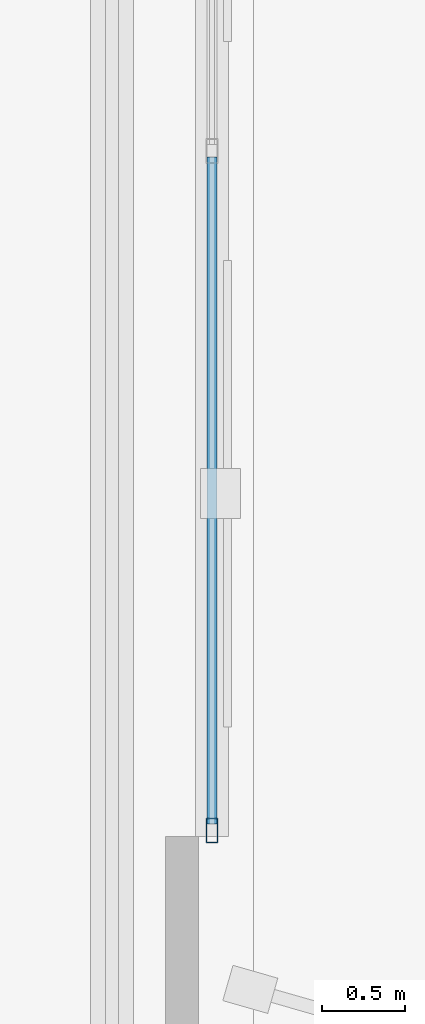
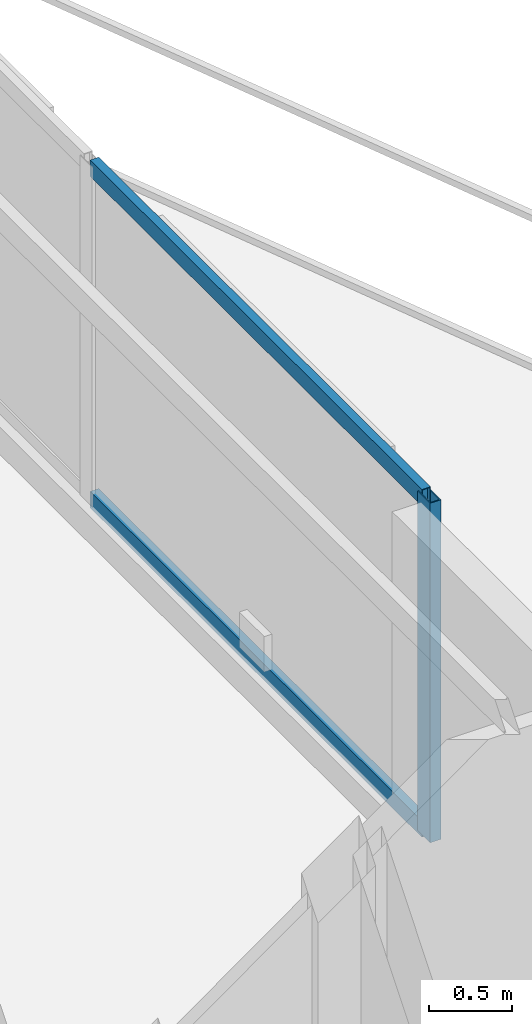
# One storey, part 7 of 18: 3 members, 1 element without a shape of its own.
"""IFC4 building model written with IfcOpenShell, lengths in metres."""

from ifc_helpers import new_model, si_unit, direction, frame, origin, origin_2d, place, context, subcontext, project, spatial, hollow_rectangle, extrude, material, layer, layer_set, material_profile, profile_set, type_object, element, aggregate, save


model = new_model("IFC4")

# Units and contexts
model_context = context("Model", 3, precision=1e-05, world=origin(), true_north=direction((0.0, 1.0)))
body_context = subcontext(model_context, "Body", "Model", "MODEL_VIEW")
ifc_project = project(units=[si_unit("LENGTHUNIT", "METRE"), si_unit("AREAUNIT", "SQUARE_METRE"), si_unit("VOLUMEUNIT", "CUBIC_METRE"), si_unit("PLANEANGLEUNIT", "RADIAN"), si_unit("MASSUNIT", "GRAM", prefix="KILO")], contexts=[model_context])

# Site, building, storey
site_placement = place(None, origin())
site = spatial("IfcSite", under=ifc_project, at=site_placement, CompositionType="ELEMENT")
building_placement = place(site_placement, origin())
building = spatial("IfcBuilding", under=site, at=building_placement, Name="Mersakhor Tower and Convention Hall", CompositionType="ELEMENT")
storey_placement = place(building_placement, frame((0.0, 0.0, 229.800048828125)))
storey = spatial("IfcBuildingStorey", under=building, at=storey_placement, Name="L64", CompositionType="ELEMENT", Elevation=229.800048828125)

# Curtain wall, members
ifc_material_1 = material(Name="Dark solar low-E aluminium curtain wall", Category="aluminium")
ifc_layer = layer(ifc_material_1, 0.179931640625)
ifc_layer_set = layer_set([ifc_layer], Name="Dark solar low-E aluminium curtain wall")
curtain_wall_type = type_object("IfcCurtainWallType", Name="CW-SYS-03", PredefinedType="USERDEFINED", material=ifc_layer_set)
curtain_wall_placement = place(storey_placement, origin())
curtain_wall = element("IfcCurtainWall", 1, at=curtain_wall_placement, inside=storey, type_object=curtain_wall_type, Name="L64 Dark-Glass Curtain Wall F2-B2", ObjectType="CURTAIN WALL", PredefinedType="USERDEFINED")
ifc_material_2 = material(Name="Anodised aluminium EN AW-6063 T6", Category="aluminium")
ifc_material_profile_1 = material_profile(ifc_material_2, hollow_rectangle(XDim=0.074951171875, YDim=0.14990234375, WallThickness=0.00634765625, at=origin_2d()), Name="RHS 150x75x6.3")
ifc_profile_set_1 = profile_set([ifc_material_profile_1], Name="Anodised aluminium EN AW-6063 T6")
member_type_1 = type_object("IfcMemberType", Name="CWM-150x75", PredefinedType="MULLION", material=ifc_profile_set_1)
member_1_placement = place(storey_placement, frame((39.742919921875, 22.673583984375, 0.199951171875), z_axis=(0.0, 0.0, 1.0), x_axis=(1.0, 0.0, 0.0)))
member_1 = element("IfcMember", 2, at=member_1_placement, type_object=member_type_1, Name="CW-03 mullion 3", PredefinedType="MULLION", context=body_context, shape_type="SweptSolid", body=[
    extrude(hollow_rectangle(XDim=0.074951171875, YDim=0.14990234375, WallThickness=0.00634765625, at=origin_2d()), origin(), (0.0, 0.0, 1.0), 2.5),
])
ifc_material_3 = material(Name="Anodised aluminium EN AW-6063 T6", Category="aluminium")
ifc_material_profile_2 = material_profile(ifc_material_3, hollow_rectangle(XDim=0.06005859375, YDim=0.1201171875, WallThickness=0.0048828125, at=origin_2d()), Name="RHS 120x60x5")
ifc_profile_set_2 = profile_set([ifc_material_profile_2], Name="Anodised aluminium EN AW-6063 T6")
member_type_2 = type_object("IfcMemberType", Name="CWT-120x60", PredefinedType="USERDEFINED", material=ifc_profile_set_2)
member_2_placement = place(storey_placement, frame((39.742919921875, 26.71240234375, 0.22998046875), z_axis=(0.0, -1.0, 0.0), x_axis=(1.0, 0.0, 0.0)))
member_2 = element("IfcMember", 3, at=member_2_placement, type_object=member_type_2, Name="CW-03 transom 2.1", ObjectType="TRANSOM", PredefinedType="USERDEFINED", context=body_context, shape_type="SweptSolid", body=[
    extrude(hollow_rectangle(XDim=0.06005859375, YDim=0.1201171875, WallThickness=0.0048828125, at=origin_2d()), origin(), (0.0, 0.0, 1.0), 4.001220703125),
])
member_3_placement = place(storey_placement, frame((39.742919921875, 26.71240234375, 2.669921875), z_axis=(0.0, -1.0, 0.0), x_axis=(1.0, 0.0, 0.0)))
member_3 = element("IfcMember", 4, at=member_3_placement, type_object=member_type_2, Name="CW-03 transom 2.2", ObjectType="TRANSOM", PredefinedType="USERDEFINED", context=body_context, shape_type="SweptSolid", body=[
    extrude(hollow_rectangle(XDim=0.06005859375, YDim=0.1201171875, WallThickness=0.0048828125, at=origin_2d()), origin(), (0.0, 0.0, 1.0), 4.001220703125),
])
aggregate(curtain_wall, [member_1, member_2, member_3])

save(model, "model.ifc")
